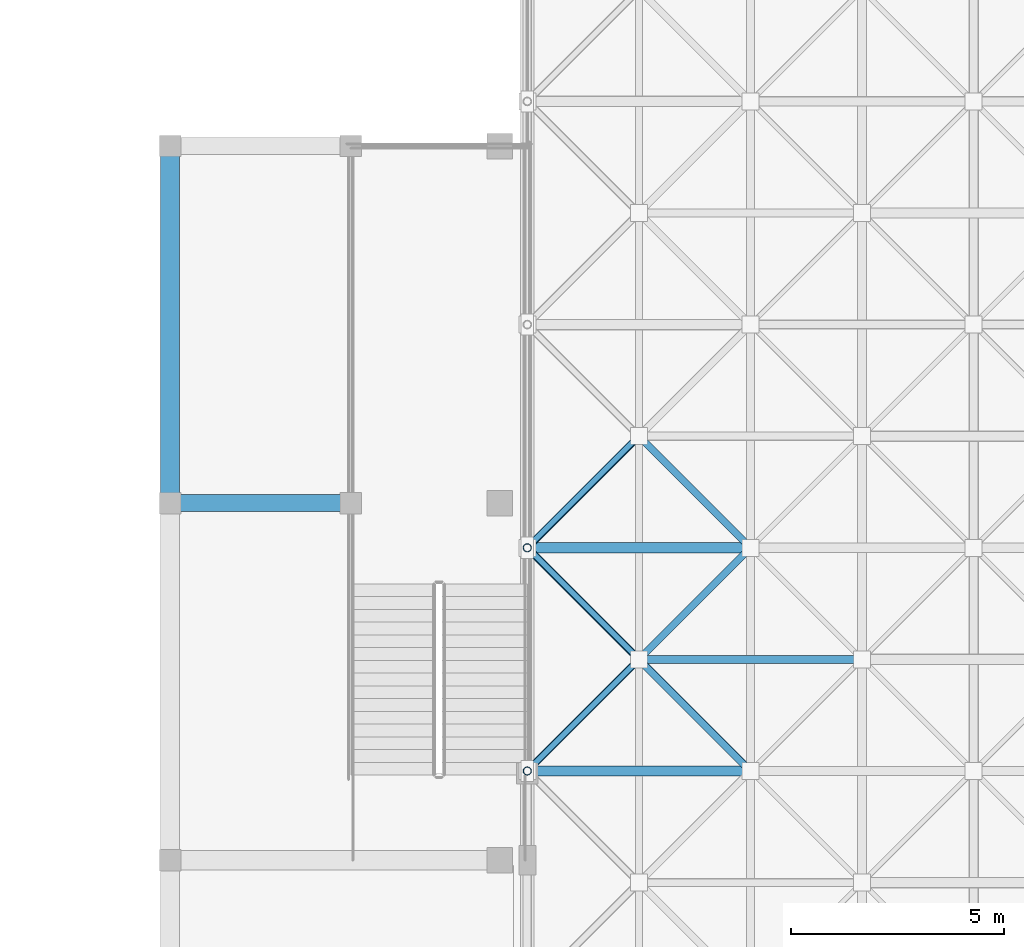
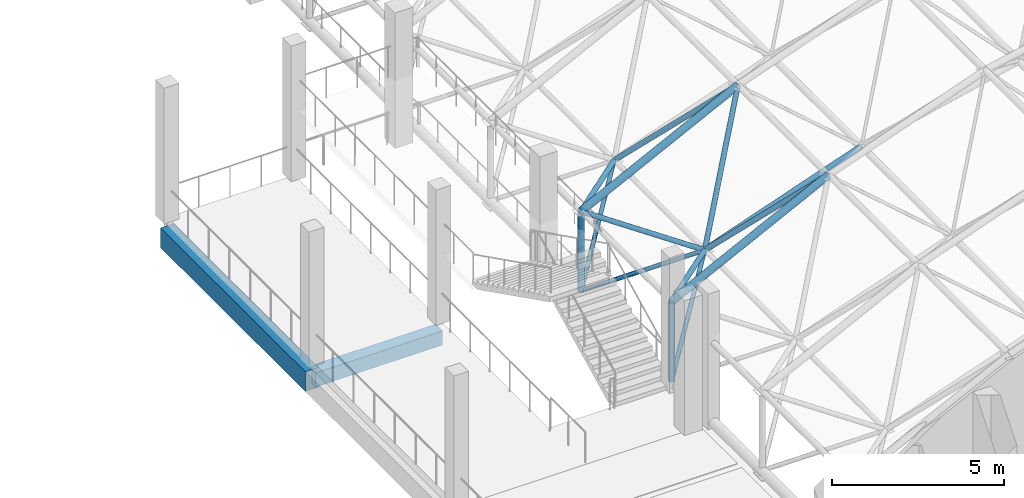
# One storey, part 10 of 100: 14 members, 2 beams.
"""IFC4 building model written with IfcOpenShell, lengths in metres."""

from ifc_helpers import new_model, si_unit, direction, frame, origin, origin_2d, place, context, subcontext, project, spatial, rectangle, hollow_circle, extrude, material, material_profile, profile_set, type_object, element, save


model = new_model("IFC4")

# Units and contexts
model_context = context("Model", 3, precision=1e-05, world=origin(), true_north=direction((0.0, 1.0)))
body_context = subcontext(model_context, "Body", "Model", "MODEL_VIEW")
ifc_project = project(units=[si_unit("LENGTHUNIT", "METRE"), si_unit("AREAUNIT", "SQUARE_METRE"), si_unit("VOLUMEUNIT", "CUBIC_METRE"), si_unit("PLANEANGLEUNIT", "RADIAN"), si_unit("MASSUNIT", "GRAM", prefix="KILO")], contexts=[model_context])

# Site, building, storey
site_placement = place(None, origin())
site = spatial("IfcSite", under=ifc_project, at=site_placement, CompositionType="ELEMENT")
building_placement = place(site_placement, origin())
building = spatial("IfcBuilding", under=site, at=building_placement, Name="Kiln Court Media Centre", CompositionType="ELEMENT")
storey_placement = place(building_placement, frame((0.0, 0.0, 15.0)))
storey = spatial("IfcBuildingStorey", under=building, at=storey_placement, Name="L03", CompositionType="ELEMENT", Elevation=15.0)

# Beams
ifc_material_1 = material(Name="Concrete C30/37", Category="concrete")
ifc_material_profile_1 = material_profile(ifc_material_1, rectangle(XDim=0.39990234375, YDim=0.5, at=origin_2d()), Name="RC 400x500")
ifc_profile_set_1 = profile_set([ifc_material_profile_1], Name="Concrete C30/37")
beam_type_1 = type_object("IfcBeamType", Name="Concrete C30/37 beam 400x500", PredefinedType="BEAM", material=ifc_profile_set_1)
beam_1_placement = place(storey_placement, frame((50.39990234375, 42.0, -0.550048828125), z_axis=(1.0, 0.0, 0.0), x_axis=(0.0, 1.0, 0.0)))
element("IfcBeam", 1, at=beam_1_placement, inside=storey, type_object=beam_type_1, Name="L03-B-1082", PredefinedType="BEAM", context=body_context, shape_type="SweptSolid", body=[
    extrude(rectangle(XDim=0.39990234375, YDim=0.5, at=origin_2d()), origin(), (0.0, 0.0, 1.0), 4.2509765625),
])
ifc_material_2 = material(Name="Concrete C30/37", Category="concrete")
ifc_material_profile_2 = material_profile(ifc_material_2, rectangle(XDim=0.449951171875, YDim=0.699951171875, at=origin_2d()), Name="RC 450x700")
ifc_profile_set_2 = profile_set([ifc_material_profile_2], Name="Concrete C30/37")
beam_type_2 = type_object("IfcBeamType", Name="Concrete C30/37 beam 450x700", PredefinedType="BEAM", material=ifc_profile_set_2)
beam_2_placement = place(storey_placement, frame((50.39990234375, 42.0, -0.64990234375), z_axis=(0.0, 1.0, 0.0), x_axis=(-1.0, 0.0, 0.0)))
element("IfcBeam", 2, at=beam_2_placement, inside=storey, type_object=beam_type_2, Name="L03-B-1072", PredefinedType="BEAM", context=body_context, shape_type="SweptSolid", body=[
    extrude(rectangle(XDim=0.449951171875, YDim=0.699951171875, at=origin_2d()), origin(), (0.0, 0.0, 1.0), 8.39990234375),
])

# Members
ifc_material_3 = material(Name="Steel ASTM A500 Gr C", Category="steel")
ifc_material_profile_3 = material_profile(ifc_material_3, hollow_circle(Radius=0.06982421875, WallThickness=0.0048828125, at=origin_2d()), Name="CHS 139.7x5.0")
ifc_profile_set_3 = profile_set([ifc_material_profile_3], Name="Steel ASTM A500 Gr C")
member_type_1 = type_object("IfcMemberType", Name="Steel ASTM A500 Gr C CHS 139.7x5.0 space frame brace", PredefinedType="BRACE", material=ifc_profile_set_3)
for number, where, z_axis, x_axis, name in (
    (3, (58.800048828125, 35.699951171875, 0.18994140625), (0.614895163376, 0.614895163376, 0.493769051394), (-0.707106781187, 0.707106781187, 0.0), "V1 roof bearing tie first 3 space frame brace"),
    (4, (58.800048828125, 40.949951171875, 0.18994140625), (0.614895163376, -0.614895163376, 0.493769051394), (0.707106781187, 0.707106781187, 0.0), "V1 roof bearing tie first 4 space frame brace"),
    (5, (58.800048828125, 40.949951171875, 0.18994140625), (0.614895163376, 0.614895163376, 0.493769051394), (-0.707106781187, 0.707106781187, 0.0), "V1 roof bearing tie first 4 space frame brace"),
):
    element("IfcMember", number, at=place(storey_placement, frame(where, z_axis=z_axis, x_axis=x_axis)), inside=storey, type_object=member_type_1, Name=name, PredefinedType="BRACE", context=body_context, shape_type="SweptSolid", body=[
        extrude(hollow_circle(Radius=0.06982421875, WallThickness=0.0048828125, at=origin_2d()), origin(), (0.0, 0.0, 1.0), 4.26904296875),
    ])
ifc_material_4 = material(Name="Steel ASTM A500 Gr C", Category="steel")
ifc_material_profile_4 = material_profile(ifc_material_4, hollow_circle(Radius=0.084228515625, WallThickness=0.00634765625, at=origin_2d()), Name="CHS 168.3x6.3")
ifc_profile_set_4 = profile_set([ifc_material_profile_4], Name="Steel ASTM A500 Gr C")
member_type_2 = type_object("IfcMemberType", Name="Steel ASTM A500 Gr C CHS 168.3x6.3 space frame brace", PredefinedType="BRACE", material=ifc_profile_set_4)
member_1_placement = place(storey_placement, frame((61.425048828125, 38.324951171875, 2.2978515625), z_axis=(-0.694788256549, -0.694788256549, 0.185845519516), x_axis=(0.707106781187, -0.707106781187, 0.0)))
element("IfcMember", 6, at=member_1_placement, inside=storey, type_object=member_type_2, Name="V1 roof diagonal 1-3 space frame brace", PredefinedType="BRACE", context=body_context, shape_type="SweptSolid", body=[
    extrude(hollow_circle(Radius=0.084228515625, WallThickness=0.00634765625, at=origin_2d()), origin(), (0.0, 0.0, 1.0), 3.778076171875),
])
member_2_placement = place(storey_placement, frame((61.425048828125, 38.324951171875, 2.2978515625), z_axis=(0.526569761857, -0.526569761857, 0.667419337295), x_axis=(0.707106781187, 0.707106781187, 0.0)))
element("IfcMember", 7, at=member_2_placement, inside=storey, type_object=member_type_2, Name="V1 roof diagonal 1-3 space frame brace", PredefinedType="BRACE", context=body_context, shape_type="SweptSolid", body=[
    extrude(hollow_circle(Radius=0.084228515625, WallThickness=0.00634765625, at=origin_2d()), origin(), (0.0, 0.0, 1.0), 4.985107421875),
])
member_3_placement = place(storey_placement, frame((61.425048828125, 38.324951171875, 2.2978515625), z_axis=(-0.694788256549, 0.694788256549, 0.185845519516), x_axis=(-0.707106781187, -0.707106781187, 0.0)))
element("IfcMember", 8, at=member_3_placement, inside=storey, type_object=member_type_2, Name="V1 roof diagonal 1-3 space frame brace", PredefinedType="BRACE", context=body_context, shape_type="SweptSolid", body=[
    extrude(hollow_circle(Radius=0.084228515625, WallThickness=0.00634765625, at=origin_2d()), origin(), (0.0, 0.0, 1.0), 3.778076171875),
])
member_4_placement = place(storey_placement, frame((61.425048828125, 38.324951171875, 2.2978515625), z_axis=(0.526569761857, 0.526569761857, 0.667419337295), x_axis=(-0.707106781187, 0.707106781187, 0.0)))
element("IfcMember", 9, at=member_4_placement, inside=storey, type_object=member_type_2, Name="V1 roof diagonal 1-3 space frame brace", PredefinedType="BRACE", context=body_context, shape_type="SweptSolid", body=[
    extrude(hollow_circle(Radius=0.084228515625, WallThickness=0.00634765625, at=origin_2d()), origin(), (0.0, 0.0, 1.0), 4.985107421875),
])
member_5_placement = place(storey_placement, frame((61.425048828125, 43.574951171875, 2.2978515625), z_axis=(-0.694788256549, -0.694788256549, 0.185845519516), x_axis=(0.707106781187, -0.707106781187, 0.0)))
element("IfcMember", 10, at=member_5_placement, inside=storey, type_object=member_type_2, Name="V1 roof diagonal 1-4 space frame brace", PredefinedType="BRACE", context=body_context, shape_type="SweptSolid", body=[
    extrude(hollow_circle(Radius=0.084228515625, WallThickness=0.00634765625, at=origin_2d()), origin(), (0.0, 0.0, 1.0), 3.778076171875),
])
member_6_placement = place(storey_placement, frame((61.425048828125, 43.574951171875, 2.2978515625), z_axis=(0.526569761857, -0.526569761857, 0.667419337295), x_axis=(0.707106781187, 0.707106781187, 0.0)))
element("IfcMember", 11, at=member_6_placement, inside=storey, type_object=member_type_2, Name="V1 roof diagonal 1-4 space frame brace", PredefinedType="BRACE", context=body_context, shape_type="SweptSolid", body=[
    extrude(hollow_circle(Radius=0.084228515625, WallThickness=0.00634765625, at=origin_2d()), origin(), (0.0, 0.0, 1.0), 4.985107421875),
])
ifc_material_5 = material(Name="Steel ASTM A500 Gr C", Category="steel")
ifc_material_profile_5 = material_profile(ifc_material_5, hollow_circle(Radius=0.096923828125, WallThickness=0.008056640625, at=origin_2d()), Name="CHS 193.7x8.0")
ifc_profile_set_5 = profile_set([ifc_material_profile_5], Name="Steel ASTM A500 Gr C")
member_type_3 = type_object("IfcMemberType", Name="Steel ASTM A500 Gr C CHS 193.7x8.0 space frame chord", PredefinedType="CHORD", material=ifc_profile_set_5)
member_7_placement = place(storey_placement, frame((61.425048828125, 38.324951171875, 2.2978515625), z_axis=(0.943959597571, 0.0, 0.330061021863), x_axis=(0.0, 1.0, 0.0)))
element("IfcMember", 12, at=member_7_placement, inside=storey, type_object=member_type_3, Name="V1 roof bottom chord across line 3 space frame chord", PredefinedType="CHORD", context=body_context, shape_type="SweptSolid", body=[
    extrude(hollow_circle(Radius=0.096923828125, WallThickness=0.008056640625, at=origin_2d()), origin(), (0.0, 0.0, 1.0), 5.561767578125),
])
ifc_material_6 = material(Name="Steel ASTM A500 Gr C", Category="steel")
ifc_material_profile_6 = material_profile(ifc_material_6, hollow_circle(Radius=0.096923828125, WallThickness=0.008056640625, at=origin_2d()), Name="CHS 193.7x8.0")
ifc_profile_set_6 = profile_set([ifc_material_profile_6], Name="Steel ASTM A500 Gr C")
member_type_4 = type_object("IfcMemberType", Name="Steel ASTM A500 Gr C CHS 193.7x8.0 space frame strut", PredefinedType="STRUT", material=ifc_profile_set_6)
for number, where, z_axis, x_axis, name in (
    (13, (58.800048828125, 35.699951171875, 0.18994140625), (0.0, 0.0, 1.0), (1.0, 0.0, 0.0), "V1 roof bearing post first 3 space frame strut"),
    (14, (58.800048828125, 40.949951171875, 0.18994140625), (0.0, 0.0, 1.0), (1.0, 0.0, 0.0), "V1 roof bearing post first 4 space frame strut"),
):
    element("IfcMember", number, at=place(storey_placement, frame(where, z_axis=z_axis, x_axis=x_axis)), inside=storey, type_object=member_type_4, Name=name, PredefinedType="STRUT", context=body_context, shape_type="SweptSolid", body=[
        extrude(hollow_circle(Radius=0.096923828125, WallThickness=0.008056640625, at=origin_2d()), origin(), (0.0, 0.0, 1.0), 2.81005859375),
    ])
ifc_material_7 = material(Name="Steel ASTM A500 Gr C", Category="steel")
ifc_material_profile_7 = material_profile(ifc_material_7, hollow_circle(Radius=0.122314453125, WallThickness=0.010009765625, at=origin_2d()), Name="CHS 244.5x10.0")
ifc_profile_set_7 = profile_set([ifc_material_profile_7], Name="Steel ASTM A500 Gr C")
member_type_5 = type_object("IfcMemberType", Name="Steel ASTM A500 Gr C CHS 244.5x10.0 space frame chord", PredefinedType="CHORD", material=ifc_profile_set_7)
for number, where, z_axis, x_axis, name in (
    (15, (58.800048828125, 35.699951171875, 3.0), (0.894427191, 0.0, 0.4472135955), (0.0, 1.0, 0.0), "V1 roof top chord across line 3 space frame chord"),
    (16, (58.800048828125, 40.949951171875, 3.0), (0.894427191, 0.0, 0.4472135955), (0.0, 1.0, 0.0), "V1 roof top chord across line 4 space frame chord"),
):
    element("IfcMember", number, at=place(storey_placement, frame(where, z_axis=z_axis, x_axis=x_axis)), inside=storey, type_object=member_type_5, Name=name, PredefinedType="CHORD", context=body_context, shape_type="SweptSolid", body=[
        extrude(hollow_circle(Radius=0.122314453125, WallThickness=0.010009765625, at=origin_2d()), origin(), (0.0, 0.0, 1.0), 5.86962890625),
    ])

save(model, "model.ifc")
